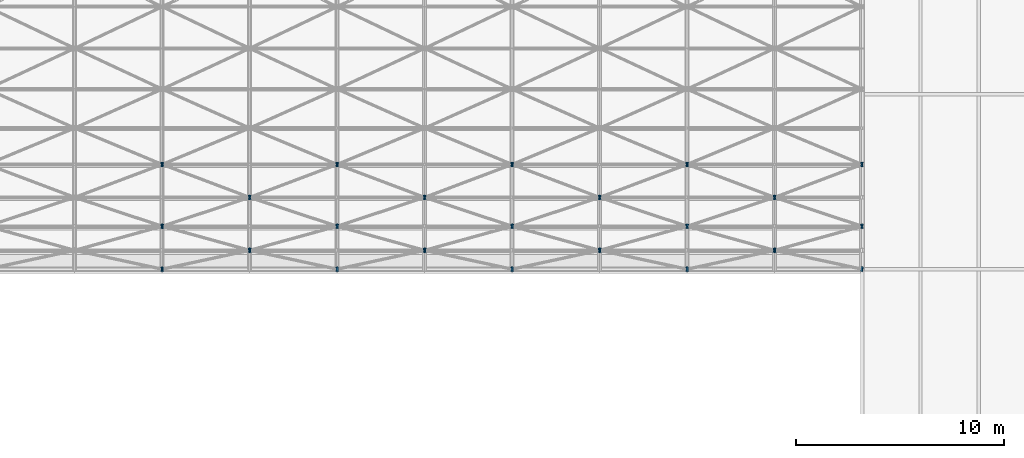
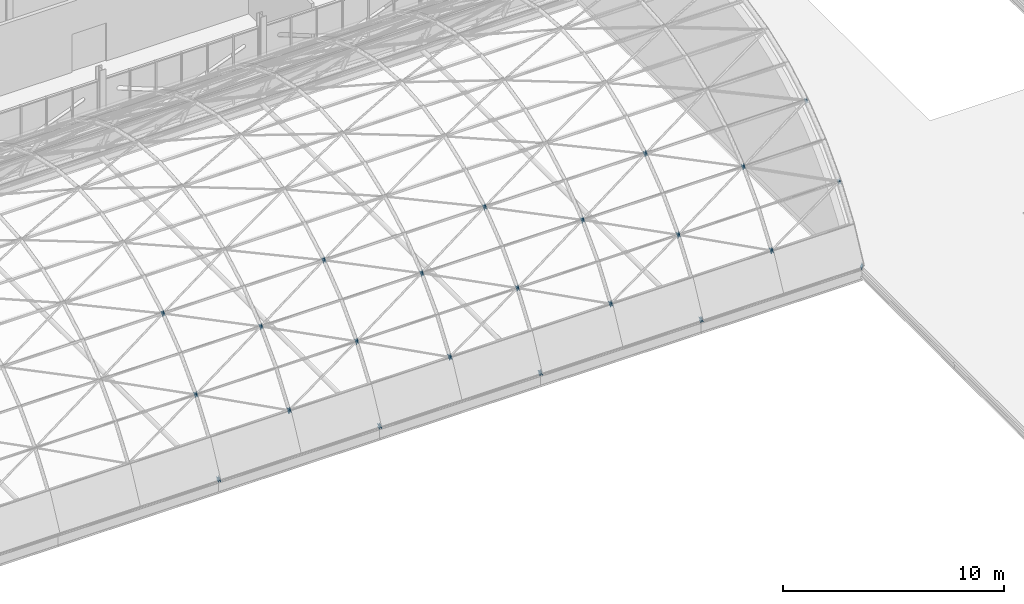
# One storey, part 112 of 121: 77 discrete accessories.
"""IFC4 building model written with IfcOpenShell, lengths in metres."""

from ifc_helpers import new_model, si_unit, direction, frame, origin, origin_2d, place, context, subcontext, project, spatial, rectangle, extrude, material, material_profile, profile_set, type_object, element, save


model = new_model("IFC4")

# Units and contexts
model_context = context("Model", 3, precision=1e-05, world=origin(), true_north=direction((0.0, 1.0)))
body_context = subcontext(model_context, "Body", "Model", "MODEL_VIEW")
ifc_project = project(units=[si_unit("LENGTHUNIT", "METRE"), si_unit("AREAUNIT", "SQUARE_METRE"), si_unit("VOLUMEUNIT", "CUBIC_METRE"), si_unit("PLANEANGLEUNIT", "RADIAN"), si_unit("MASSUNIT", "GRAM", prefix="KILO")], contexts=[model_context])

# Site, building, storey
site_placement = place(None, origin())
site = spatial("IfcSite", under=ifc_project, at=site_placement, CompositionType="ELEMENT")
building_placement = place(site_placement, origin())
building = spatial("IfcBuilding", under=site, at=building_placement, Name="Ardhachandra Cancer Care Centre", CompositionType="ELEMENT")
storey_placement = place(building_placement, frame((0.0, 0.0, 9.0)))
storey = spatial("IfcBuildingStorey", under=building, at=storey_placement, Name="L02", CompositionType="ELEMENT", Elevation=9.0)

# Discrete accessories
ifc_material = material(Name="Steel E250 (IS 2062)", Category="steel")
ifc_material_profile = material_profile(ifc_material, rectangle(XDim=0.21435546875, YDim=0.21435546875, at=origin_2d()), Name="PL 214x214x12")
ifc_profile_set = profile_set([ifc_material_profile], Name="Steel E250 (IS 2062)")
discrete_accessory_type = type_object("IfcDiscreteAccessoryType", Name="Diagonal end plate 214 x 214 x 12", PredefinedType="BRACKET", material=ifc_profile_set)
for number, where, z_axis, x_axis, name in (
    (1, (78.0, 54.60009765625, 0.0), (-0.902291261515, 0.184559576219, 0.389625772018), (-0.200396236149, -0.979714932283, 0.0), "Diagonal end plate Hall shell diagonal 08-00 1"),
    (2, (78.0, 56.662109375, 3.426025390625), (-0.899271031245, -0.265693713777, -0.347445625708), (0.283346141017, -0.959017708059, 0.0), "Diagonal end plate Hall shell diagonal 07-01 2"),
    (3, (78.0, 56.662109375, 3.426025390625), (-0.906301889068, 0.288368782885, 0.308966553091), (-0.303203657277, -0.952925780013, 0.0), "Diagonal end plate Hall shell diagonal 08-02 1"),
    (4, (78.0, 59.62841796875, 6.107421875), (-0.899271031245, -0.347445625708, -0.265693713777), (0.360399279202, -0.932798134406, 0.0), "Diagonal end plate Hall shell diagonal 07-03 2"),
    (5, (78.0, 59.62841796875, 6.107421875), (-0.901722650223, 0.368886538728, 0.225430662556), (-0.378632845721, -0.925546956206, 0.0), "Diagonal end plate Hall shell diagonal 08-04 1"),
    (6, (78.0, 54.60009765625, 0.0), (0.902291261515, 0.184559576219, 0.389625772018), (-0.200396236149, 0.979714932283, 0.0), "Diagonal end plate Hall shell diagonal 08-00 1"),
    (7, (82.199951171875, 55.5048828125, 1.788818359375), (-0.905725666552, -0.205846742398, -0.370524136317), (0.221621103589, -0.975132855791, 0.0), "Diagonal end plate Hall shell diagonal 08-00 2"),
    (8, (82.199951171875, 55.5048828125, 1.788818359375), (-0.897398718093, 0.244745104934, 0.367117657402), (-0.263117405792, -0.964763821238, 0.0), "Diagonal end plate Hall shell diagonal 09-01 1"),
    (9, (78.0, 56.662109375, 3.426025390625), (0.899271031245, -0.265693713777, -0.347445625708), (0.283346141017, 0.959017708059, 0.0), "Diagonal end plate Hall shell diagonal 09-01 2"),
    (10, (78.0, 56.662109375, 3.426025390625), (0.906301889068, 0.288368782885, 0.308966553091), (-0.303203657277, 0.952925780013, 0.0), "Diagonal end plate Hall shell diagonal 08-02 1"),
    (11, (82.199951171875, 58.04638671875, 4.8759765625), (-0.906301889068, -0.288368782885, -0.308966553091), (0.303203657277, -0.952925780013, 0.0), "Diagonal end plate Hall shell diagonal 08-02 2"),
    (12, (82.199951171875, 58.04638671875, 4.8759765625), (-0.899271031245, 0.347445625708, 0.265693713777), (-0.360399279202, -0.932798134406, 0.0), "Diagonal end plate Hall shell diagonal 09-03 1"),
    (13, (78.0, 59.62841796875, 6.107421875), (0.899271031245, -0.347445625708, -0.265693713777), (0.360399279202, 0.932798134406, 0.0), "Diagonal end plate Hall shell diagonal 09-03 2"),
    (14, (78.0, 59.62841796875, 6.107421875), (0.901722650223, 0.368886538728, 0.225430662556), (-0.378632845721, 0.925546956206, 0.0), "Diagonal end plate Hall shell diagonal 08-04 1"),
    (15, (86.39990234375, 54.60009765625, 0.0), (-0.902291261515, 0.184559576219, 0.389625772018), (-0.200396236149, -0.979714932283, 0.0), "Diagonal end plate Hall shell diagonal 10-00 1"),
    (16, (82.199951171875, 55.5048828125, 1.788818359375), (0.909322885136, -0.202071752252, -0.363729154054), (0.216930457819, 0.976187060184, 0.0), "Diagonal end plate Hall shell diagonal 10-00 2"),
):
    element("IfcDiscreteAccessory", number, at=place(storey_placement, frame(where, z_axis=z_axis, x_axis=x_axis)), inside=storey, type_object=discrete_accessory_type, Name=name, PredefinedType="BRACKET", context=body_context, shape_type="SweptSolid", body=[
        extrude(rectangle(XDim=0.21435546875, YDim=0.21435546875, at=origin_2d()), origin(), (0.0, 0.0, 1.0), 0.011962890625),
    ])
discrete_accessory_1_placement = place(storey_placement, frame((82.199951171875, 55.5048828125, 1.788818359375), z_axis=(0.901262652189, 0.24033670725, 0.360505060876), x_axis=(-0.25766265056, 0.966234939601, 0.0)))
element("IfcDiscreteAccessory", 17, at=discrete_accessory_1_placement, inside=storey, type_object=discrete_accessory_type, Name="Diagonal end plate Hall shell diagonal 09-01 1", PredefinedType="BRACKET", context=body_context, shape_type="SweptSolid", body=[
    extrude(rectangle(XDim=0.21435546875, YDim=0.21435546875, at=origin_2d()), origin(), (0.0, 0.0, 1.0), 0.01220703125),
])
for number, where, z_axis, x_axis, name in (
    (18, (86.39990234375, 56.662109375, 3.426025390625), (-0.899271031245, -0.265693713777, -0.347445625708), (0.283346141017, -0.959017708059, 0.0), "Diagonal end plate Hall shell diagonal 09-01 2"),
    (19, (86.39990234375, 56.662109375, 3.426025390625), (-0.906301889068, 0.288368782885, 0.308966553091), (-0.303203657277, -0.952925780013, 0.0), "Diagonal end plate Hall shell diagonal 10-02 1"),
    (20, (82.199951171875, 58.04638671875, 4.8759765625), (0.909880352984, -0.283073887595, -0.303293450995), (0.297066552636, 0.954856776331, 0.0), "Diagonal end plate Hall shell diagonal 10-02 2"),
):
    element("IfcDiscreteAccessory", number, at=place(storey_placement, frame(where, z_axis=z_axis, x_axis=x_axis)), inside=storey, type_object=discrete_accessory_type, Name=name, PredefinedType="BRACKET", context=body_context, shape_type="SweptSolid", body=[
        extrude(rectangle(XDim=0.21435546875, YDim=0.21435546875, at=origin_2d()), origin(), (0.0, 0.0, 1.0), 0.011962890625),
    ])
discrete_accessory_2_placement = place(storey_placement, frame((82.199951171875, 58.04638671875, 4.8759765625), z_axis=(0.903075694963, 0.341161929208, 0.260888534101), x_axis=(-0.353400568719, 0.935472093667, 0.0)))
element("IfcDiscreteAccessory", 21, at=discrete_accessory_2_placement, inside=storey, type_object=discrete_accessory_type, Name="Diagonal end plate Hall shell diagonal 09-03 1", PredefinedType="BRACKET", context=body_context, shape_type="SweptSolid", body=[
    extrude(rectangle(XDim=0.21435546875, YDim=0.21435546875, at=origin_2d()), origin(), (0.0, 0.0, 1.0), 0.01220703125),
])
for number, where, z_axis, x_axis, name in (
    (22, (86.39990234375, 59.62841796875, 6.107421875), (-0.899271031245, -0.347445625708, -0.265693713777), (0.360399279202, -0.932798134406, 0.0), "Diagonal end plate Hall shell diagonal 09-03 2"),
    (23, (86.39990234375, 59.62841796875, 6.107421875), (-0.901722650223, 0.368886538728, 0.225430662556), (-0.378632845721, -0.925546956206, 0.0), "Diagonal end plate Hall shell diagonal 10-04 1"),
):
    element("IfcDiscreteAccessory", number, at=place(storey_placement, frame(where, z_axis=z_axis, x_axis=x_axis)), inside=storey, type_object=discrete_accessory_type, Name=name, PredefinedType="BRACKET", context=body_context, shape_type="SweptSolid", body=[
        extrude(rectangle(XDim=0.21435546875, YDim=0.21435546875, at=origin_2d()), origin(), (0.0, 0.0, 1.0), 0.011962890625),
    ])
discrete_accessory_3_placement = place(storey_placement, frame((86.39990234375, 54.60009765625, 0.0), z_axis=(0.905999460427, 0.181199892085, 0.382533105514), x_axis=(-0.196116135138, 0.980580675691, 0.0)))
element("IfcDiscreteAccessory", 24, at=discrete_accessory_3_placement, inside=storey, type_object=discrete_accessory_type, Name="Diagonal end plate Hall shell diagonal 10-00 1", PredefinedType="BRACKET", context=body_context, shape_type="SweptSolid", body=[
    extrude(rectangle(XDim=0.21435546875, YDim=0.21435546875, at=origin_2d()), origin(), (0.0, 0.0, 1.0), 0.01220703125),
])
discrete_accessory_4_placement = place(storey_placement, frame((90.60009765625, 55.5048828125, 1.788818359375), z_axis=(-0.909322885136, -0.202071752252, -0.363729154054), x_axis=(0.216930457819, -0.976187060184, 0.0)))
element("IfcDiscreteAccessory", 25, at=discrete_accessory_4_placement, inside=storey, type_object=discrete_accessory_type, Name="Diagonal end plate Hall shell diagonal 10-00 2", PredefinedType="BRACKET", context=body_context, shape_type="SweptSolid", body=[
    extrude(rectangle(XDim=0.21435546875, YDim=0.21435546875, at=origin_2d()), origin(), (0.0, 0.0, 1.0), 0.011962890625),
])
for number, where, z_axis, x_axis, name in (
    (26, (90.60009765625, 55.5048828125, 1.788818359375), (-0.901262652189, 0.24033670725, 0.360505060876), (-0.25766265056, -0.966234939601, 0.0), "Diagonal end plate Hall shell diagonal 11-01 1"),
    (27, (86.39990234375, 56.662109375, 3.426025390625), (0.903075694963, -0.260888534101, -0.341161929208), (0.277539652821, 0.960714182841, 0.0), "Diagonal end plate Hall shell diagonal 11-01 2"),
):
    element("IfcDiscreteAccessory", number, at=place(storey_placement, frame(where, z_axis=z_axis, x_axis=x_axis)), inside=storey, type_object=discrete_accessory_type, Name=name, PredefinedType="BRACKET", context=body_context, shape_type="SweptSolid", body=[
        extrude(rectangle(XDim=0.21435546875, YDim=0.21435546875, at=origin_2d()), origin(), (0.0, 0.0, 1.0), 0.01220703125),
    ])
for number, where, z_axis, x_axis, name in (
    (28, (86.39990234375, 56.662109375, 3.426025390625), (0.909880352984, 0.283073887595, 0.303293450995), (-0.297066552636, 0.954856776331, 0.0), "Diagonal end plate Hall shell diagonal 10-02 1"),
    (29, (90.60009765625, 58.04638671875, 4.8759765625), (-0.909880352984, -0.283073887595, -0.303293450995), (0.297066552636, -0.954856776331, 0.0), "Diagonal end plate Hall shell diagonal 10-02 2"),
):
    element("IfcDiscreteAccessory", number, at=place(storey_placement, frame(where, z_axis=z_axis, x_axis=x_axis)), inside=storey, type_object=discrete_accessory_type, Name=name, PredefinedType="BRACKET", context=body_context, shape_type="SweptSolid", body=[
        extrude(rectangle(XDim=0.21435546875, YDim=0.21435546875, at=origin_2d()), origin(), (0.0, 0.0, 1.0), 0.011962890625),
    ])
for number, where, z_axis, x_axis, name in (
    (30, (90.60009765625, 58.04638671875, 4.8759765625), (-0.903075694963, 0.341161929208, 0.260888534101), (-0.353400568719, -0.935472093667, 0.0), "Diagonal end plate Hall shell diagonal 11-03 1"),
    (31, (86.39990234375, 59.62841796875, 6.107421875), (0.903075694963, -0.341161929208, -0.260888534101), (0.353400568719, 0.935472093667, 0.0), "Diagonal end plate Hall shell diagonal 11-03 2"),
    (32, (86.39990234375, 59.62841796875, 6.107421875), (0.905449091159, 0.362179636463, 0.221332000061), (-0.371390676354, 0.928476690885, 0.0), "Diagonal end plate Hall shell diagonal 10-04 1"),
    (33, (94.800048828125, 54.60009765625, 0.0), (-0.905999460427, 0.181199892085, 0.382533105514), (-0.196116135138, -0.980580675691, 0.0), "Diagonal end plate Hall shell diagonal 12-00 1"),
):
    element("IfcDiscreteAccessory", number, at=place(storey_placement, frame(where, z_axis=z_axis, x_axis=x_axis)), inside=storey, type_object=discrete_accessory_type, Name=name, PredefinedType="BRACKET", context=body_context, shape_type="SweptSolid", body=[
        extrude(rectangle(XDim=0.21435546875, YDim=0.21435546875, at=origin_2d()), origin(), (0.0, 0.0, 1.0), 0.01220703125),
    ])
for number, where, z_axis, x_axis, name in (
    (34, (90.60009765625, 55.5048828125, 1.788818359375), (0.905725666552, -0.205846742398, -0.370524136317), (0.221621103589, 0.975132855791, 0.0), "Diagonal end plate Hall shell diagonal 12-00 2"),
    (35, (90.60009765625, 55.5048828125, 1.788818359375), (0.897398718093, 0.244745104934, 0.367117657402), (-0.263117405792, 0.964763821238, 0.0), "Diagonal end plate Hall shell diagonal 11-01 1"),
):
    element("IfcDiscreteAccessory", number, at=place(storey_placement, frame(where, z_axis=z_axis, x_axis=x_axis)), inside=storey, type_object=discrete_accessory_type, Name=name, PredefinedType="BRACKET", context=body_context, shape_type="SweptSolid", body=[
        extrude(rectangle(XDim=0.21435546875, YDim=0.21435546875, at=origin_2d()), origin(), (0.0, 0.0, 1.0), 0.011962890625),
    ])
discrete_accessory_5_placement = place(storey_placement, frame((94.800048828125, 56.662109375, 3.426025390625), z_axis=(-0.903075694963, -0.260888534101, -0.341161929208), x_axis=(0.277539652821, -0.960714182841, 0.0)))
element("IfcDiscreteAccessory", 36, at=discrete_accessory_5_placement, inside=storey, type_object=discrete_accessory_type, Name="Diagonal end plate Hall shell diagonal 11-01 2", PredefinedType="BRACKET", context=body_context, shape_type="SweptSolid", body=[
    extrude(rectangle(XDim=0.21435546875, YDim=0.21435546875, at=origin_2d()), origin(), (0.0, 0.0, 1.0), 0.01220703125),
])
for number, where, z_axis, x_axis, name in (
    (37, (94.800048828125, 56.662109375, 3.426025390625), (-0.909880352984, 0.283073887595, 0.303293450995), (-0.297066552636, -0.954856776331, 0.0), "Diagonal end plate Hall shell diagonal 12-02 1"),
    (38, (90.60009765625, 58.04638671875, 4.8759765625), (0.906301889068, -0.288368782885, -0.308966553091), (0.303203657277, 0.952925780013, 0.0), "Diagonal end plate Hall shell diagonal 12-02 2"),
    (39, (90.60009765625, 58.04638671875, 4.8759765625), (0.899271031245, 0.347445625708, 0.265693713777), (-0.360399279202, 0.932798134406, 0.0), "Diagonal end plate Hall shell diagonal 11-03 1"),
):
    element("IfcDiscreteAccessory", number, at=place(storey_placement, frame(where, z_axis=z_axis, x_axis=x_axis)), inside=storey, type_object=discrete_accessory_type, Name=name, PredefinedType="BRACKET", context=body_context, shape_type="SweptSolid", body=[
        extrude(rectangle(XDim=0.21435546875, YDim=0.21435546875, at=origin_2d()), origin(), (0.0, 0.0, 1.0), 0.011962890625),
    ])
for number, where, z_axis, x_axis, name in (
    (40, (94.800048828125, 59.62841796875, 6.107421875), (-0.903075694963, -0.341161929208, -0.260888534101), (0.353400568719, -0.935472093667, 0.0), "Diagonal end plate Hall shell diagonal 11-03 2"),
    (41, (94.800048828125, 59.62841796875, 6.107421875), (-0.905449091159, 0.362179636463, 0.221332000061), (-0.371390676354, -0.928476690885, 0.0), "Diagonal end plate Hall shell diagonal 12-04 1"),
):
    element("IfcDiscreteAccessory", number, at=place(storey_placement, frame(where, z_axis=z_axis, x_axis=x_axis)), inside=storey, type_object=discrete_accessory_type, Name=name, PredefinedType="BRACKET", context=body_context, shape_type="SweptSolid", body=[
        extrude(rectangle(XDim=0.21435546875, YDim=0.21435546875, at=origin_2d()), origin(), (0.0, 0.0, 1.0), 0.01220703125),
    ])
for number, where, z_axis, x_axis, name in (
    (42, (94.800048828125, 54.60009765625, 0.0), (0.902291261515, 0.184559576219, 0.389625772018), (-0.200396236149, 0.979714932283, 0.0), "Diagonal end plate Hall shell diagonal 12-00 1"),
    (43, (99.0, 55.5048828125, 1.788818359375), (-0.905725666552, -0.205846742398, -0.370524136317), (0.221621103589, -0.975132855791, 0.0), "Diagonal end plate Hall shell diagonal 12-00 2"),
    (44, (99.0, 55.5048828125, 1.788818359375), (-0.897398718093, 0.244745104934, 0.367117657402), (-0.263117405792, -0.964763821238, 0.0), "Diagonal end plate Hall shell diagonal 13-01 1"),
    (45, (94.800048828125, 56.662109375, 3.426025390625), (0.899271031245, -0.265693713777, -0.347445625708), (0.283346141017, 0.959017708059, 0.0), "Diagonal end plate Hall shell diagonal 13-01 2"),
    (46, (94.800048828125, 56.662109375, 3.426025390625), (0.906301889068, 0.288368782885, 0.308966553091), (-0.303203657277, 0.952925780013, 0.0), "Diagonal end plate Hall shell diagonal 12-02 1"),
    (47, (99.0, 58.04638671875, 4.8759765625), (-0.906301889068, -0.288368782885, -0.308966553091), (0.303203657277, -0.952925780013, 0.0), "Diagonal end plate Hall shell diagonal 12-02 2"),
    (48, (99.0, 58.04638671875, 4.8759765625), (-0.899271031245, 0.347445625708, 0.265693713777), (-0.360399279202, -0.932798134406, 0.0), "Diagonal end plate Hall shell diagonal 13-03 1"),
    (49, (94.800048828125, 59.62841796875, 6.107421875), (0.899271031245, -0.347445625708, -0.265693713777), (0.360399279202, 0.932798134406, 0.0), "Diagonal end plate Hall shell diagonal 13-03 2"),
    (50, (94.800048828125, 59.62841796875, 6.107421875), (0.901722650223, 0.368886538728, 0.225430662556), (-0.378632845721, 0.925546956206, 0.0), "Diagonal end plate Hall shell diagonal 12-04 1"),
    (51, (103.199951171875, 54.60009765625, 0.0), (-0.902291261515, 0.184559576219, 0.389625772018), (-0.200396236149, -0.979714932283, 0.0), "Diagonal end plate Hall shell diagonal 14-00 1"),
    (52, (99.0, 55.5048828125, 1.788818359375), (0.905725666552, -0.205846742398, -0.370524136317), (0.221621103589, 0.975132855791, 0.0), "Diagonal end plate Hall shell diagonal 14-00 2"),
    (53, (99.0, 55.5048828125, 1.788818359375), (0.897398718093, 0.244745104934, 0.367117657402), (-0.263117405792, 0.964763821238, 0.0), "Diagonal end plate Hall shell diagonal 13-01 1"),
    (54, (103.199951171875, 56.662109375, 3.426025390625), (-0.899271031245, -0.265693713777, -0.347445625708), (0.283346141017, -0.959017708059, 0.0), "Diagonal end plate Hall shell diagonal 13-01 2"),
    (55, (103.199951171875, 56.662109375, 3.426025390625), (-0.906301889068, 0.288368782885, 0.308966553091), (-0.303203657277, -0.952925780013, 0.0), "Diagonal end plate Hall shell diagonal 14-02 1"),
    (56, (99.0, 58.04638671875, 4.8759765625), (0.906301889068, -0.288368782885, -0.308966553091), (0.303203657277, 0.952925780013, 0.0), "Diagonal end plate Hall shell diagonal 14-02 2"),
    (57, (99.0, 58.04638671875, 4.8759765625), (0.899271031245, 0.347445625708, 0.265693713777), (-0.360399279202, 0.932798134406, 0.0), "Diagonal end plate Hall shell diagonal 13-03 1"),
    (58, (103.199951171875, 59.62841796875, 6.107421875), (-0.899271031245, -0.347445625708, -0.265693713777), (0.360399279202, -0.932798134406, 0.0), "Diagonal end plate Hall shell diagonal 13-03 2"),
    (59, (103.199951171875, 59.62841796875, 6.107421875), (-0.901722650223, 0.368886538728, 0.225430662556), (-0.378632845721, -0.925546956206, 0.0), "Diagonal end plate Hall shell diagonal 14-04 1"),
):
    element("IfcDiscreteAccessory", number, at=place(storey_placement, frame(where, z_axis=z_axis, x_axis=x_axis)), inside=storey, type_object=discrete_accessory_type, Name=name, PredefinedType="BRACKET", context=body_context, shape_type="SweptSolid", body=[
        extrude(rectangle(XDim=0.21435546875, YDim=0.21435546875, at=origin_2d()), origin(), (0.0, 0.0, 1.0), 0.011962890625),
    ])
discrete_accessory_6_placement = place(storey_placement, frame((103.199951171875, 54.60009765625, 0.0), z_axis=(0.905999460427, 0.181199892085, 0.382533105514), x_axis=(-0.196116135138, 0.980580675691, 0.0)))
element("IfcDiscreteAccessory", 60, at=discrete_accessory_6_placement, inside=storey, type_object=discrete_accessory_type, Name="Diagonal end plate Hall shell diagonal 14-00 1", PredefinedType="BRACKET", context=body_context, shape_type="SweptSolid", body=[
    extrude(rectangle(XDim=0.21435546875, YDim=0.21435546875, at=origin_2d()), origin(), (0.0, 0.0, 1.0), 0.01220703125),
])
for number, where, z_axis, x_axis, name in (
    (61, (107.39990234375, 55.5048828125, 1.788818359375), (-0.905725666552, -0.205846742398, -0.370524136317), (0.221621103589, -0.975132855791, 0.0), "Diagonal end plate Hall shell diagonal 14-00 2"),
    (62, (107.39990234375, 55.5048828125, 1.788818359375), (-0.897398718093, 0.244745104934, 0.367117657402), (-0.263117405792, -0.964763821238, 0.0), "Diagonal end plate Hall shell diagonal 15-01 1"),
):
    element("IfcDiscreteAccessory", number, at=place(storey_placement, frame(where, z_axis=z_axis, x_axis=x_axis)), inside=storey, type_object=discrete_accessory_type, Name=name, PredefinedType="BRACKET", context=body_context, shape_type="SweptSolid", body=[
        extrude(rectangle(XDim=0.21435546875, YDim=0.21435546875, at=origin_2d()), origin(), (0.0, 0.0, 1.0), 0.011962890625),
    ])
discrete_accessory_7_placement = place(storey_placement, frame((103.199951171875, 56.662109375, 3.426025390625), z_axis=(0.903075694963, -0.260888534101, -0.341161929208), x_axis=(0.277539652821, 0.960714182841, 0.0)))
element("IfcDiscreteAccessory", 63, at=discrete_accessory_7_placement, inside=storey, type_object=discrete_accessory_type, Name="Diagonal end plate Hall shell diagonal 15-01 2", PredefinedType="BRACKET", context=body_context, shape_type="SweptSolid", body=[
    extrude(rectangle(XDim=0.21435546875, YDim=0.21435546875, at=origin_2d()), origin(), (0.0, 0.0, 1.0), 0.01220703125),
])
for number, where, z_axis, x_axis, name in (
    (64, (103.199951171875, 56.662109375, 3.426025390625), (0.909880352984, 0.283073887595, 0.303293450995), (-0.297066552636, 0.954856776331, 0.0), "Diagonal end plate Hall shell diagonal 14-02 1"),
    (65, (107.39990234375, 58.04638671875, 4.8759765625), (-0.906301889068, -0.288368782885, -0.308966553091), (0.303203657277, -0.952925780013, 0.0), "Diagonal end plate Hall shell diagonal 14-02 2"),
    (66, (107.39990234375, 58.04638671875, 4.8759765625), (-0.899271031245, 0.347445625708, 0.265693713777), (-0.360399279202, -0.932798134406, 0.0), "Diagonal end plate Hall shell diagonal 15-03 1"),
):
    element("IfcDiscreteAccessory", number, at=place(storey_placement, frame(where, z_axis=z_axis, x_axis=x_axis)), inside=storey, type_object=discrete_accessory_type, Name=name, PredefinedType="BRACKET", context=body_context, shape_type="SweptSolid", body=[
        extrude(rectangle(XDim=0.21435546875, YDim=0.21435546875, at=origin_2d()), origin(), (0.0, 0.0, 1.0), 0.011962890625),
    ])
for number, where, z_axis, x_axis, name in (
    (67, (103.199951171875, 59.62841796875, 6.107421875), (0.903075694963, -0.341161929208, -0.260888534101), (0.353400568719, 0.935472093667, 0.0), "Diagonal end plate Hall shell diagonal 15-03 2"),
    (68, (103.199951171875, 59.62841796875, 6.107421875), (0.905449091159, 0.362179636463, 0.221332000061), (-0.371390676354, 0.928476690885, 0.0), "Diagonal end plate Hall shell diagonal 14-04 1"),
    (69, (111.60009765625, 54.60009765625, 0.0), (-0.905999460427, 0.181199892085, 0.382533105514), (-0.196116135138, -0.980580675691, 0.0), "Diagonal end plate Hall shell diagonal 16-00 1"),
):
    element("IfcDiscreteAccessory", number, at=place(storey_placement, frame(where, z_axis=z_axis, x_axis=x_axis)), inside=storey, type_object=discrete_accessory_type, Name=name, PredefinedType="BRACKET", context=body_context, shape_type="SweptSolid", body=[
        extrude(rectangle(XDim=0.21435546875, YDim=0.21435546875, at=origin_2d()), origin(), (0.0, 0.0, 1.0), 0.01220703125),
    ])
discrete_accessory_8_placement = place(storey_placement, frame((107.39990234375, 55.5048828125, 1.788818359375), z_axis=(0.909322885136, -0.202071752252, -0.363729154054), x_axis=(0.216930457819, 0.976187060184, 0.0)))
element("IfcDiscreteAccessory", 70, at=discrete_accessory_8_placement, inside=storey, type_object=discrete_accessory_type, Name="Diagonal end plate Hall shell diagonal 16-00 2", PredefinedType="BRACKET", context=body_context, shape_type="SweptSolid", body=[
    extrude(rectangle(XDim=0.21435546875, YDim=0.21435546875, at=origin_2d()), origin(), (0.0, 0.0, 1.0), 0.011962890625),
])
for number, where, z_axis, x_axis, name in (
    (71, (107.39990234375, 55.5048828125, 1.788818359375), (0.901262652189, 0.24033670725, 0.360505060876), (-0.25766265056, 0.966234939601, 0.0), "Diagonal end plate Hall shell diagonal 15-01 1"),
    (72, (111.60009765625, 56.662109375, 3.426025390625), (-0.903075694963, -0.260888534101, -0.341161929208), (0.277539652821, -0.960714182841, 0.0), "Diagonal end plate Hall shell diagonal 15-01 2"),
):
    element("IfcDiscreteAccessory", number, at=place(storey_placement, frame(where, z_axis=z_axis, x_axis=x_axis)), inside=storey, type_object=discrete_accessory_type, Name=name, PredefinedType="BRACKET", context=body_context, shape_type="SweptSolid", body=[
        extrude(rectangle(XDim=0.21435546875, YDim=0.21435546875, at=origin_2d()), origin(), (0.0, 0.0, 1.0), 0.01220703125),
    ])
for number, where, z_axis, x_axis, name in (
    (73, (111.60009765625, 56.662109375, 3.426025390625), (-0.909880352984, 0.283073887595, 0.303293450995), (-0.297066552636, -0.954856776331, 0.0), "Diagonal end plate Hall shell diagonal 16-02 1"),
    (74, (107.39990234375, 58.04638671875, 4.8759765625), (0.909880352984, -0.283073887595, -0.303293450995), (0.297066552636, 0.954856776331, 0.0), "Diagonal end plate Hall shell diagonal 16-02 2"),
):
    element("IfcDiscreteAccessory", number, at=place(storey_placement, frame(where, z_axis=z_axis, x_axis=x_axis)), inside=storey, type_object=discrete_accessory_type, Name=name, PredefinedType="BRACKET", context=body_context, shape_type="SweptSolid", body=[
        extrude(rectangle(XDim=0.21435546875, YDim=0.21435546875, at=origin_2d()), origin(), (0.0, 0.0, 1.0), 0.011962890625),
    ])
for number, where, z_axis, x_axis, name in (
    (75, (107.39990234375, 58.04638671875, 4.8759765625), (0.903075694963, 0.341161929208, 0.260888534101), (-0.353400568719, 0.935472093667, 0.0), "Diagonal end plate Hall shell diagonal 15-03 1"),
    (76, (111.60009765625, 59.62841796875, 6.107421875), (-0.903075694963, -0.341161929208, -0.260888534101), (0.353400568719, -0.935472093667, 0.0), "Diagonal end plate Hall shell diagonal 15-03 2"),
    (77, (111.60009765625, 59.62841796875, 6.107421875), (-0.905449091159, 0.362179636463, 0.221332000061), (-0.371390676354, -0.928476690885, 0.0), "Diagonal end plate Hall shell diagonal 16-04 1"),
):
    element("IfcDiscreteAccessory", number, at=place(storey_placement, frame(where, z_axis=z_axis, x_axis=x_axis)), inside=storey, type_object=discrete_accessory_type, Name=name, PredefinedType="BRACKET", context=body_context, shape_type="SweptSolid", body=[
        extrude(rectangle(XDim=0.21435546875, YDim=0.21435546875, at=origin_2d()), origin(), (0.0, 0.0, 1.0), 0.01220703125),
    ])

save(model, "model.ifc")
